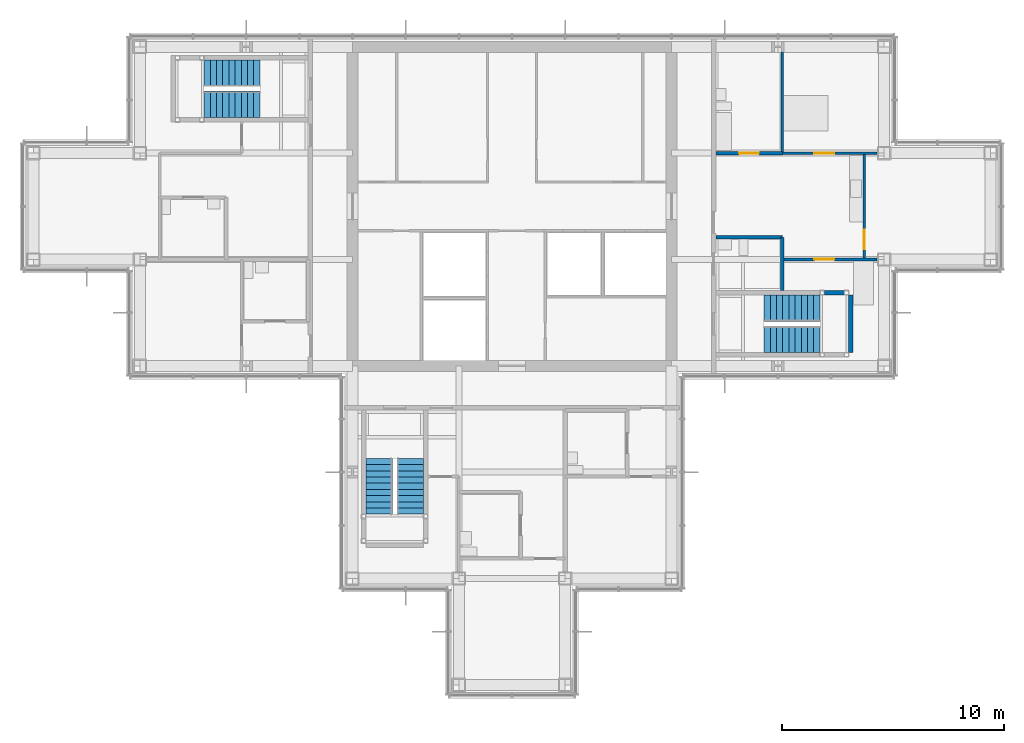
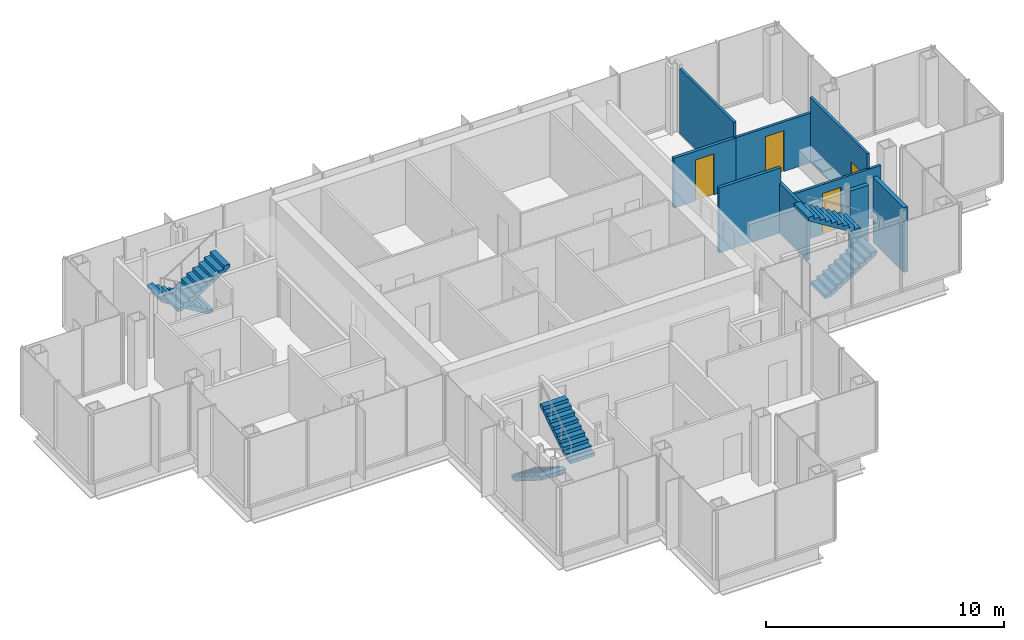
# One storey, part 12 of 15: 9 walls, 6 stair flights, 4 doors, 4 openings, 3 elements without a shape of their own.
"""IFC4 building model written with IfcOpenShell, lengths in metres."""

from ifc_helpers import new_model, si_unit, direction, frame, frame_2d, origin, place, context, subcontext, project, spatial, polyline, rectangle, outline, extrude, material, layer, layer_set, type_object, element, fill, aggregate, save


model = new_model("IFC4")

# Units and contexts
model_context = context("Model", 3, precision=1e-05, world=origin(), true_north=direction((0.0, 1.0)))
body_context = subcontext(model_context, "Body", "Model", "MODEL_VIEW")
ifc_project = project(units=[si_unit("LENGTHUNIT", "METRE"), si_unit("AREAUNIT", "SQUARE_METRE"), si_unit("VOLUMEUNIT", "CUBIC_METRE"), si_unit("PLANEANGLEUNIT", "RADIAN"), si_unit("MASSUNIT", "GRAM", prefix="KILO")], contexts=[model_context])

# Site, building, storey
site_placement = place(None, origin())
site = spatial("IfcSite", under=ifc_project, at=site_placement, CompositionType="ELEMENT")
building_placement = place(site_placement, origin())
building = spatial("IfcBuilding", under=site, at=building_placement, Name="Kvirike Care Tower", CompositionType="ELEMENT")
storey_placement = place(building_placement, frame((0.0, 0.0, 226.0)))
storey = spatial("IfcBuildingStorey", under=building, at=storey_placement, Name="L62", CompositionType="ELEMENT", Elevation=226.0)

# Walls
ifc_material_1 = material(Name="Moisture-resistant board partition", Category="gypsum")
ifc_layer_1 = layer(ifc_material_1, 0.14990234375)
ifc_layer_set_1 = layer_set([ifc_layer_1], Name="BATHROOM WALL 150")
wall_type_1 = type_object("IfcWallType", Name="BATHROOM WALL 150", PredefinedType="PARTITIONING", material=ifc_layer_set_1)
wall_1_placement = place(storey_placement, frame((33.800048828125, 32.199951171875, 0.0), z_axis=(0.0, 0.0, 1.0), x_axis=(0.0, 1.0, 0.0)))
element("IfcWall", 1, at=wall_1_placement, inside=storey, type_object=wall_type_1, Name="Bathroom Wall 150 L62", PredefinedType="PARTITIONING", context=body_context, shape_type="SweptSolid", body=[
    extrude(rectangle(XDim=2.400146484375, YDim=0.14990234375, at=frame_2d((1.2001953125, 0.0))), origin(), (0.0, 0.0, 1.0), 2.550048828125),
])
wall_2_placement = place(storey_placement, frame((33.800048828125, 34.60009765625, 0.0), z_axis=(0.0, 0.0, 1.0), x_axis=(-1.0, 0.0, 0.0)))
element("IfcWall", 2, at=wall_2_placement, inside=storey, type_object=wall_type_1, Name="Bathroom Wall 150 L62", PredefinedType="PARTITIONING", context=body_context, shape_type="SweptSolid", body=[
    extrude(rectangle(XDim=3.0, YDim=0.14990234375, at=frame_2d((1.5, 0.0))), origin(), (0.0, 0.0, 1.0), 3.330078125),
])

# Wall, opening, door
wall_3_placement = place(storey_placement, frame((33.800048828125, 38.39990234375, 0.0), z_axis=(0.0, 0.0, 1.0), x_axis=(-1.0, 0.0, 0.0)))
wall_3 = element("IfcWall", 3, at=wall_3_placement, inside=storey, type_object=wall_type_1, Name="Bathroom Wall 150 L62", PredefinedType="PARTITIONING", context=body_context, shape_type="SweptSolid", body=[
    extrude(rectangle(XDim=3.0, YDim=0.14990234375, at=frame_2d((1.5, 0.0))), origin(), (0.0, 0.0, 1.0), 2.550048828125),
])
opening_1_placement = place(wall_3_placement, frame((1.050048828125, 0.0, 0.0)))
opening_1 = element("IfcOpeningElement", 4, at=opening_1_placement, cuts=wall_3, Name="Opening 62-016", PredefinedType="OPENING", context=body_context, shape_type="SweptSolid", body=[
    extrude(rectangle(XDim=0.89990234375, YDim=2.10009765625, at=frame_2d((0.449951171875, 1.050048828125))), frame((0.0, 0.08544921875, 0.0), z_axis=(0.0, -1.0, 0.0), x_axis=(1.0, 0.0, 0.0)), (0.0, 0.0, 1.0), 0.1708984375),
])
ifc_material_2 = material(Name="Timber door set", Category="wood")
door_type_1 = type_object("IfcDoorType", Name="BATHROOM DOOR 900", OperationType="SINGLE_SWING_RIGHT", PredefinedType="DOOR", material=ifc_material_2)
door_1_placement = place(opening_1_placement, frame((0.89990234375, 0.0, 0.0), z_axis=(0.0, 0.0, 1.0), x_axis=(-1.0, 0.0, 0.0)))
door_1 = element("IfcDoor", 5, at=door_1_placement, inside=storey, type_object=door_type_1, Name="Bathroom door", OperationType="SINGLE_SWING_RIGHT", OverallHeight=2.10009765625, OverallWidth=0.89990234375, PredefinedType="DOOR", context=body_context, shape_type="SweptSolid", body=[
    extrude(rectangle(XDim=0.89990234375, YDim=2.10009765625, at=frame_2d((0.449951171875, 1.050048828125))), frame((0.0, 0.02197265625, 0.0), z_axis=(0.0, -1.0, 0.0), x_axis=(1.0, 0.0, 0.0)), (0.0, 0.0, 1.0), 0.0439453125),
])
fill(opening_1, door_1)

ifc_material_3 = material(Name="Plasterboard partition", Category="gypsum")
ifc_layer_2 = layer(ifc_material_3, 0.1201171875)
ifc_layer_set_2 = layer_set([ifc_layer_2], Name="PARTITION 120")
wall_type_2 = type_object("IfcWallType", Name="PARTITION 120", PredefinedType="PARTITIONING", material=ifc_layer_set_2)
wall_4_placement = place(storey_placement, frame((37.5, 33.60009765625, 0.0), z_axis=(0.0, 0.0, 1.0), x_axis=(0.0, 1.0, 0.0)))
wall_4 = element("IfcWall", 6, at=wall_4_placement, inside=storey, type_object=wall_type_2, Name="Partition 120 L62", PredefinedType="PARTITIONING", context=body_context, shape_type="SweptSolid", body=[
    extrude(rectangle(XDim=4.7998046875, YDim=0.1201171875, at=frame_2d((2.39990234375, 0.0))), origin(), (0.0, 0.0, 1.0), 3.330078125),
])
opening_2_placement = place(wall_4_placement, frame((0.449951171875, 0.0, 0.0)))
opening_2 = element("IfcOpeningElement", 7, at=opening_2_placement, cuts=wall_4, Name="Opening 62-017", PredefinedType="OPENING", context=body_context, shape_type="SweptSolid", body=[
    extrude(rectangle(XDim=0.89990234375, YDim=2.10009765625, at=frame_2d((0.449951171875, 1.050048828125))), frame((0.0, 0.070556640625, 0.0), z_axis=(0.0, -1.0, 0.0), x_axis=(1.0, 0.0, 0.0)), (0.0, 0.0, 1.0), 0.14111328125),
])
ifc_material_4 = material(Name="Timber door set", Category="wood")
door_type_2 = type_object("IfcDoorType", Name="INTERNAL DOOR 900", OperationType="SINGLE_SWING_LEFT", PredefinedType="DOOR", material=ifc_material_4)
door_2_placement = place(opening_2_placement, frame((0.89990234375, 0.0, 0.0), z_axis=(0.0, 0.0, 1.0), x_axis=(-1.0, 0.0, 0.0)))
door_2 = element("IfcDoor", 8, at=door_2_placement, inside=storey, type_object=door_type_2, Name="Apartment living room door", OperationType="SINGLE_SWING_LEFT", OverallHeight=2.10009765625, OverallWidth=0.89990234375, PredefinedType="DOOR", context=body_context, shape_type="SweptSolid", body=[
    extrude(rectangle(XDim=0.89990234375, YDim=2.10009765625, at=frame_2d((0.449951171875, 1.050048828125))), frame((0.0, 0.02197265625, 0.0), z_axis=(0.0, -1.0, 0.0), x_axis=(1.0, 0.0, 0.0)), (0.0, 0.0, 1.0), 0.0439453125),
])
fill(opening_2, door_2)

# Wall
wall_5_placement = place(storey_placement, frame((33.800048828125, 38.39990234375, 0.0), z_axis=(0.0, 0.0, 1.0), x_axis=(0.0, 1.0, 0.0)))
element("IfcWall", 9, at=wall_5_placement, inside=storey, type_object=wall_type_2, Name="Partition 120 L62", PredefinedType="PARTITIONING", context=body_context, shape_type="SweptSolid", body=[
    extrude(rectangle(XDim=4.55615234375, YDim=0.1201171875, at=frame_2d((2.278076171875, 0.0))), origin(), (0.0, 0.0, 1.0), 3.330078125),
])

# Wall, opening, door
wall_6_placement = place(storey_placement, frame((38.080078125, 33.60009765625, 0.0), z_axis=(0.0, 0.0, 1.0), x_axis=(-1.0, 0.0, 0.0)))
wall_6 = element("IfcWall", 10, at=wall_6_placement, inside=storey, type_object=wall_type_2, Name="Partition 120 L62", PredefinedType="PARTITIONING", context=body_context, shape_type="SweptSolid", body=[
    extrude(rectangle(XDim=4.280029296875, YDim=0.1201171875, at=frame_2d((2.14013671875, 0.0))), origin(), (0.0, 0.0, 1.0), 2.550048828125),
])
opening_3_placement = place(wall_6_placement, frame((1.929931640625, 0.0, 0.0)))
opening_3 = element("IfcOpeningElement", 11, at=opening_3_placement, cuts=wall_6, Name="Opening 62-018", PredefinedType="OPENING", context=body_context, shape_type="SweptSolid", body=[
    extrude(rectangle(XDim=0.89990234375, YDim=2.10009765625, at=frame_2d((0.449951171875, 1.050048828125))), frame((0.0, 0.070556640625, 0.0), z_axis=(0.0, -1.0, 0.0), x_axis=(1.0, 0.0, 0.0)), (0.0, 0.0, 1.0), 0.14111328125),
])
door_3_placement = place(opening_3_placement, origin())
door_3 = element("IfcDoor", 12, at=door_3_placement, inside=storey, type_object=door_type_2, Name="Connecting door", OperationType="SINGLE_SWING_LEFT", OverallHeight=2.10009765625, OverallWidth=0.89990234375, PredefinedType="DOOR", context=body_context, shape_type="SweptSolid", body=[
    extrude(rectangle(XDim=0.89990234375, YDim=2.10009765625, at=frame_2d((0.449951171875, 1.050048828125))), frame((0.0, 0.02197265625, 0.0), z_axis=(0.0, -1.0, 0.0), x_axis=(1.0, 0.0, 0.0)), (0.0, 0.0, 1.0), 0.0439453125),
])
fill(opening_3, door_3)

wall_7_placement = place(storey_placement, frame((38.080078125, 38.39990234375, 0.0), z_axis=(0.0, 0.0, 1.0), x_axis=(-1.0, 0.0, 0.0)))
wall_7 = element("IfcWall", 13, at=wall_7_placement, inside=storey, type_object=wall_type_2, Name="Partition 120 L62", PredefinedType="PARTITIONING", context=body_context, shape_type="SweptSolid", body=[
    extrude(rectangle(XDim=4.280029296875, YDim=0.1201171875, at=frame_2d((2.14013671875, 0.0))), origin(), (0.0, 0.0, 1.0), 2.550048828125),
])
opening_4_placement = place(wall_7_placement, frame((1.929931640625, 0.0, 0.0)))
opening_4 = element("IfcOpeningElement", 14, at=opening_4_placement, cuts=wall_7, Name="Opening 62-019", PredefinedType="OPENING", context=body_context, shape_type="SweptSolid", body=[
    extrude(rectangle(XDim=0.89990234375, YDim=2.10009765625, at=frame_2d((0.449951171875, 1.050048828125))), frame((0.0, 0.070556640625, 0.0), z_axis=(0.0, -1.0, 0.0), x_axis=(1.0, 0.0, 0.0)), (0.0, 0.0, 1.0), 0.14111328125),
])
door_4_placement = place(opening_4_placement, frame((0.89990234375, 0.0, 0.0), z_axis=(0.0, 0.0, 1.0), x_axis=(-1.0, 0.0, 0.0)))
door_4 = element("IfcDoor", 15, at=door_4_placement, inside=storey, type_object=door_type_2, Name="Connecting door", OperationType="SINGLE_SWING_RIGHT", OverallHeight=2.10009765625, OverallWidth=0.89990234375, PredefinedType="DOOR", context=body_context, shape_type="SweptSolid", body=[
    extrude(rectangle(XDim=0.89990234375, YDim=2.10009765625, at=frame_2d((0.449951171875, 1.050048828125))), frame((0.0, 0.02197265625, 0.0), z_axis=(0.0, -1.0, 0.0), x_axis=(1.0, 0.0, 0.0)), (0.0, 0.0, 1.0), 0.0439453125),
])
fill(opening_4, door_4)

# Walls
ifc_material_5 = material(Name="Concrete C40/50", Category="concrete")
ifc_layer_3 = layer(ifc_material_5, 0.199951171875)
ifc_layer_set_3 = layer_set([ifc_layer_3], Name="STAIR WALL 200")
wall_type_3 = type_object("IfcWallType", Name="STAIR WALL 200", PredefinedType="SOLIDWALL", material=ifc_layer_set_3)
wall_8_placement = place(storey_placement, frame((36.60009765625, 32.10009765625, 0.0), z_axis=(0.0, 0.0, 1.0), x_axis=(-1.0, 0.0, 0.0)))
element("IfcWall", 16, at=wall_8_placement, inside=storey, type_object=wall_type_3, Name="Stair Wall 200 L62", PredefinedType="SOLIDWALL", context=body_context, shape_type="SweptSolid", body=[
    extrude(rectangle(XDim=0.900146484375, YDim=0.199951171875, at=frame_2d((0.4501953125, 0.0))), origin(), (0.0, 0.0, 1.0), 2.989990234375),
])
wall_9_placement = place(storey_placement, frame((36.89990234375, 29.39990234375, 0.0), z_axis=(0.0, 0.0, 1.0), x_axis=(0.0, 1.0, 0.0)))
element("IfcWall", 17, at=wall_9_placement, inside=storey, type_object=wall_type_3, Name="Stair Wall 200 L62", PredefinedType="SOLIDWALL", context=body_context, shape_type="SweptSolid", body=[
    extrude(rectangle(XDim=2.60009765625, YDim=0.199951171875, at=frame_2d((1.300048828125, 0.0))), origin(), (0.0, 0.0, 1.0), 3.330078125),
])

# Stair, stair flights
ifc_material_6 = material(Name="Concrete C35/45", Category="concrete")
stair_type = type_object("IfcStairType", Name="STAIR 20 RISERS", PredefinedType="HALF_TURN_STAIR", material=ifc_material_6)
stair_1_placement = place(storey_placement, origin())
stair_1 = element("IfcStair", 18, at=stair_1_placement, inside=storey, type_object=stair_type, Name="Stair 1 L62", PredefinedType="HALF_TURN_STAIR")
ifc_material_7 = material(Name="Concrete C35/45", Category="concrete")
stair_flight_type = type_object("IfcStairFlightType", Name="FLIGHT 10 RISERS", PredefinedType="STRAIGHT", material=ifc_material_7)
stair_flight_1_placement = place(storey_placement, frame((10.219970703125, 42.0, 0.0), z_axis=(0.0, 0.0, 1.0), x_axis=(-1.0, 0.0, 0.0)))
stair_flight_1 = element("IfcStairFlight", 19, at=stair_flight_1_placement, type_object=stair_flight_type, Name="Stair S1 flight 1 L62-L63", NumberOfRisers=10, NumberOfTreads=9, PredefinedType="STRAIGHT", RiserHeight=0.175, TreadLength=0.28, context=body_context, shape_type="SweptSolid", body=[
    extrude(outline(polyline([(0.0, 0.0), (0.0, 0.175048828125), (0.280029296875, 0.175048828125), (0.280029296875, 0.35009765625), (0.56005859375, 0.35009765625), (0.56005859375, 0.52490234375), (0.840087890625, 0.52490234375), (0.840087890625, 0.699951171875), (1.1201171875, 0.699951171875), (1.1201171875, 0.875), (1.39990234375, 0.875), (1.39990234375, 1.050048828125), (1.679931640625, 1.050048828125), (1.679931640625, 1.22509765625), (1.9599609375, 1.22509765625), (1.9599609375, 1.39990234375), (2.239990234375, 1.39990234375), (2.239990234375, 1.574951171875), (2.52001953125, 1.574951171875), (2.52001953125, 1.75), (2.52001953125, 1.398193359375), (0.28271484375, 0.0), (0.0, 0.0)])), frame((0.0, 0.60009765625, 0.0), z_axis=(0.0, -1.0, 0.0), x_axis=(1.0, 0.0, 0.0)), (0.0, 0.0, 1.0), 1.199951171875),
])
stair_flight_2_placement = place(storey_placement, frame((7.699951171875, 40.60009765625, 1.75), z_axis=(0.0, 0.0, 1.0), x_axis=(1.0, 0.0, 0.0)))
stair_flight_2 = element("IfcStairFlight", 20, at=stair_flight_2_placement, type_object=stair_flight_type, Name="Stair S1 flight 2 L62-L63", NumberOfRisers=10, NumberOfTreads=9, PredefinedType="STRAIGHT", RiserHeight=0.175, TreadLength=0.28, context=body_context, shape_type="SweptSolid", body=[
    extrude(outline(polyline([(0.0, 0.0), (0.0, 0.175048828125), (0.280029296875, 0.175048828125), (0.280029296875, 0.35009765625), (0.56005859375, 0.35009765625), (0.56005859375, 0.52490234375), (0.840087890625, 0.52490234375), (0.840087890625, 0.699951171875), (1.1201171875, 0.699951171875), (1.1201171875, 0.875), (1.39990234375, 0.875), (1.39990234375, 1.050048828125), (1.679931640625, 1.050048828125), (1.679931640625, 1.22509765625), (1.9599609375, 1.22509765625), (1.9599609375, 1.39990234375), (2.239990234375, 1.39990234375), (2.239990234375, 1.574951171875), (2.52001953125, 1.574951171875), (2.52001953125, 1.75), (2.52001953125, 1.398193359375), (0.28271484375, 0.0), (0.0, 0.0)])), frame((0.0, 0.60009765625, 0.0), z_axis=(0.0, -1.0, 0.0), x_axis=(1.0, 0.0, 0.0)), (0.0, 0.0, 1.0), 1.199951171875),
])
aggregate(stair_1, [stair_flight_1, stair_flight_2])

stair_2_placement = place(storey_placement, origin())
stair_2 = element("IfcStair", 21, at=stair_2_placement, inside=storey, type_object=stair_type, Name="Stair 2 L62", PredefinedType="HALF_TURN_STAIR")
stair_flight_3_placement = place(storey_placement, frame((32.97998046875, 30.0, 0.0), z_axis=(0.0, 0.0, 1.0), x_axis=(1.0, 0.0, 0.0)))
stair_flight_3 = element("IfcStairFlight", 22, at=stair_flight_3_placement, type_object=stair_flight_type, Name="Stair S2 flight 1 L62-L63", NumberOfRisers=10, NumberOfTreads=9, PredefinedType="STRAIGHT", RiserHeight=0.175, TreadLength=0.28, context=body_context, shape_type="SweptSolid", body=[
    extrude(outline(polyline([(0.0, 0.0), (0.0, 0.175048828125), (0.280029296875, 0.175048828125), (0.280029296875, 0.35009765625), (0.56005859375, 0.35009765625), (0.56005859375, 0.52490234375), (0.840087890625, 0.52490234375), (0.840087890625, 0.699951171875), (1.1201171875, 0.699951171875), (1.1201171875, 0.875), (1.39990234375, 0.875), (1.39990234375, 1.050048828125), (1.679931640625, 1.050048828125), (1.679931640625, 1.22509765625), (1.9599609375, 1.22509765625), (1.9599609375, 1.39990234375), (2.239990234375, 1.39990234375), (2.239990234375, 1.574951171875), (2.52001953125, 1.574951171875), (2.52001953125, 1.75), (2.52001953125, 1.398193359375), (0.28271484375, 0.0), (0.0, 0.0)])), frame((0.0, 0.60009765625, 0.0), z_axis=(0.0, -1.0, 0.0), x_axis=(1.0, 0.0, 0.0)), (0.0, 0.0, 1.0), 1.199951171875),
])
stair_flight_4_placement = place(storey_placement, frame((35.5, 31.39990234375, 1.75), z_axis=(0.0, 0.0, 1.0), x_axis=(-1.0, 0.0, 0.0)))
stair_flight_4 = element("IfcStairFlight", 23, at=stair_flight_4_placement, type_object=stair_flight_type, Name="Stair S2 flight 2 L62-L63", NumberOfRisers=10, NumberOfTreads=9, PredefinedType="STRAIGHT", RiserHeight=0.175, TreadLength=0.28, context=body_context, shape_type="SweptSolid", body=[
    extrude(outline(polyline([(0.0, 0.0), (0.0, 0.175048828125), (0.280029296875, 0.175048828125), (0.280029296875, 0.35009765625), (0.56005859375, 0.35009765625), (0.56005859375, 0.52490234375), (0.840087890625, 0.52490234375), (0.840087890625, 0.699951171875), (1.1201171875, 0.699951171875), (1.1201171875, 0.875), (1.39990234375, 0.875), (1.39990234375, 1.050048828125), (1.679931640625, 1.050048828125), (1.679931640625, 1.22509765625), (1.9599609375, 1.22509765625), (1.9599609375, 1.39990234375), (2.239990234375, 1.39990234375), (2.239990234375, 1.574951171875), (2.52001953125, 1.574951171875), (2.52001953125, 1.75), (2.52001953125, 1.398193359375), (0.28271484375, 0.0), (0.0, 0.0)])), frame((0.0, 0.60009765625, 0.0), z_axis=(0.0, -1.0, 0.0), x_axis=(1.0, 0.0, 0.0)), (0.0, 0.0, 1.0), 1.199951171875),
])
aggregate(stair_2, [stair_flight_3, stair_flight_4])

stair_3_placement = place(storey_placement, origin())
stair_3 = element("IfcStair", 24, at=stair_3_placement, inside=storey, type_object=stair_type, Name="Stair 5 L62", PredefinedType="HALF_TURN_STAIR")
stair_flight_5_placement = place(storey_placement, frame((15.60009765625, 24.6201171875, 0.0), z_axis=(0.0, 0.0, 1.0), x_axis=(0.0, -1.0, 0.0)))
stair_flight_5 = element("IfcStairFlight", 25, at=stair_flight_5_placement, type_object=stair_flight_type, Name="Stair S5 flight 1 L62-L63", NumberOfRisers=10, NumberOfTreads=9, PredefinedType="STRAIGHT", RiserHeight=0.175, TreadLength=0.28, context=body_context, shape_type="SweptSolid", body=[
    extrude(outline(polyline([(0.0, 0.0), (0.0, 0.175048828125), (0.280029296875, 0.175048828125), (0.280029296875, 0.35009765625), (0.56005859375, 0.35009765625), (0.56005859375, 0.52490234375), (0.840087890625, 0.52490234375), (0.840087890625, 0.699951171875), (1.1201171875, 0.699951171875), (1.1201171875, 0.875), (1.39990234375, 0.875), (1.39990234375, 1.050048828125), (1.679931640625, 1.050048828125), (1.679931640625, 1.22509765625), (1.9599609375, 1.22509765625), (1.9599609375, 1.39990234375), (2.239990234375, 1.39990234375), (2.239990234375, 1.574951171875), (2.52001953125, 1.574951171875), (2.52001953125, 1.75), (2.52001953125, 1.398193359375), (0.28271484375, 0.0), (0.0, 0.0)])), frame((0.0, 0.60009765625, 0.0), z_axis=(0.0, -1.0, 0.0), x_axis=(1.0, 0.0, 0.0)), (0.0, 0.0, 1.0), 1.199951171875),
])
stair_flight_6_placement = place(storey_placement, frame((17.0, 22.10009765625, 1.75), z_axis=(0.0, 0.0, 1.0), x_axis=(0.0, 1.0, 0.0)))
stair_flight_6 = element("IfcStairFlight", 26, at=stair_flight_6_placement, type_object=stair_flight_type, Name="Stair S5 flight 2 L62-L63", NumberOfRisers=10, NumberOfTreads=9, PredefinedType="STRAIGHT", RiserHeight=0.175, TreadLength=0.28, context=body_context, shape_type="SweptSolid", body=[
    extrude(outline(polyline([(0.0, 0.0), (0.0, 0.175048828125), (0.280029296875, 0.175048828125), (0.280029296875, 0.35009765625), (0.56005859375, 0.35009765625), (0.56005859375, 0.52490234375), (0.840087890625, 0.52490234375), (0.840087890625, 0.699951171875), (1.1201171875, 0.699951171875), (1.1201171875, 0.875), (1.39990234375, 0.875), (1.39990234375, 1.050048828125), (1.679931640625, 1.050048828125), (1.679931640625, 1.22509765625), (1.9599609375, 1.22509765625), (1.9599609375, 1.39990234375), (2.239990234375, 1.39990234375), (2.239990234375, 1.574951171875), (2.52001953125, 1.574951171875), (2.52001953125, 1.75), (2.52001953125, 1.398193359375), (0.28271484375, 0.0), (0.0, 0.0)])), frame((0.0, 0.60009765625, 0.0), z_axis=(0.0, -1.0, 0.0), x_axis=(1.0, 0.0, 0.0)), (0.0, 0.0, 1.0), 1.199951171875),
])
aggregate(stair_3, [stair_flight_5, stair_flight_6])

save(model, "model.ifc")
